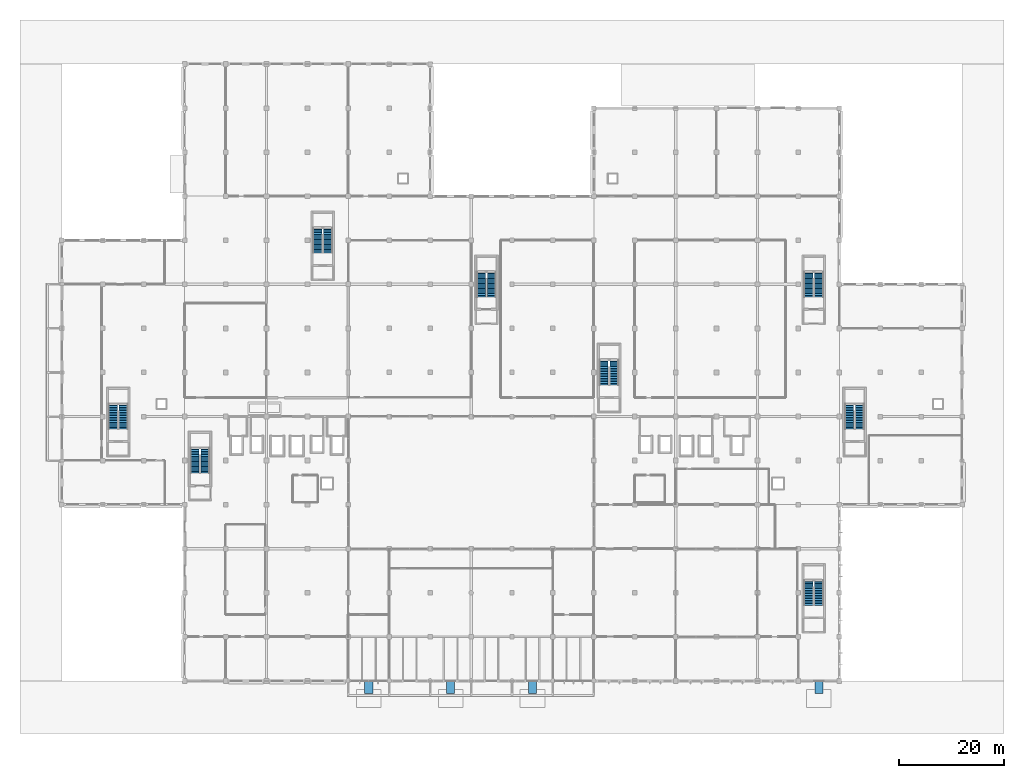
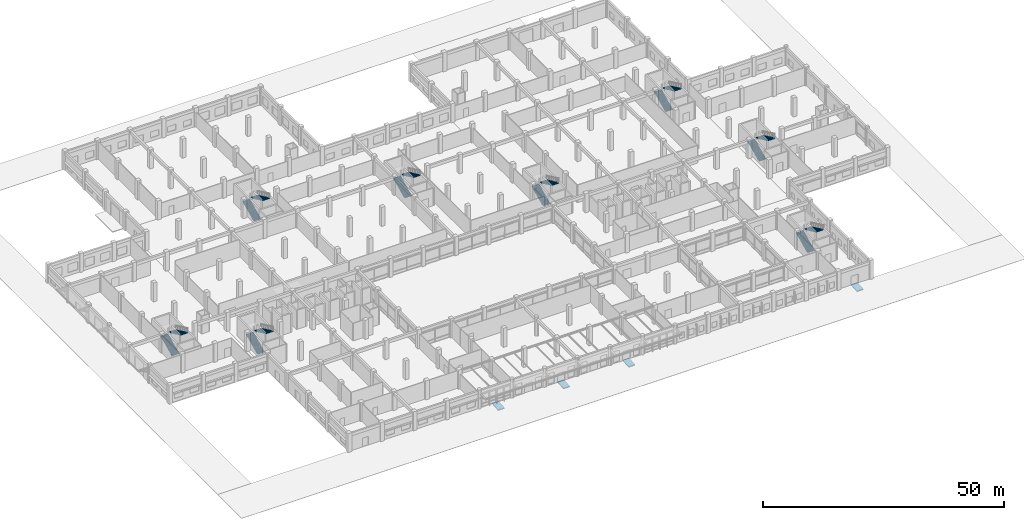
# One storey, part 60 of 74: 16 stair flights, 4 ramp flights, 12 elements without a shape of their own.
"""IFC4 building model written with IfcOpenShell, lengths in metres."""

from ifc_helpers import new_model, si_unit, direction, frame, origin, place, context, subcontext, project, spatial, polyline, outline, extrude, material, layer, layer_set, type_object, element, aggregate, save


model = new_model("IFC4")

# Units and contexts
model_context = context("Model", 3, precision=1e-05, world=origin(), true_north=direction((0.0, 1.0)))
body_context = subcontext(model_context, "Body", "Model", "MODEL_VIEW")
ifc_project = project(units=[si_unit("LENGTHUNIT", "METRE"), si_unit("AREAUNIT", "SQUARE_METRE"), si_unit("VOLUMEUNIT", "CUBIC_METRE"), si_unit("PLANEANGLEUNIT", "RADIAN"), si_unit("MASSUNIT", "GRAM", prefix="KILO"), si_unit("THERMODYNAMICTEMPERATUREUNIT", "KELVIN"), si_unit("POWERUNIT", "WATT")], contexts=[model_context])

# Site, building, storey
site_placement = place(None, origin())
site = spatial("IfcSite", under=ifc_project, at=site_placement, CompositionType="ELEMENT")
building_placement = place(site_placement, origin())
building = spatial("IfcBuilding", under=site, at=building_placement, Name="Srebrne Nadtorze General Hospital", CompositionType="ELEMENT")
storey_placement = place(building_placement, origin())
storey = spatial("IfcBuildingStorey", under=building, at=storey_placement, Name="L00", CompositionType="ELEMENT", Elevation=0.0)

# Stair, stair flights
ifc_material_1 = material(Name="Concrete C35/45", Category="concrete")
stair_type = type_object("IfcStairType", Name="Dog-leg escape stair 480", PredefinedType="HALF_TURN_STAIR", material=ifc_material_1)
stair_1_placement = place(storey_placement, origin())
stair_1 = element("IfcStair", 1, at=stair_1_placement, inside=storey, type_object=stair_type, Name="Escape stair ST-01-L00", PredefinedType="HALF_TURN_STAIR")
ifc_material_2 = material(Name="Concrete C35/45", Category="concrete")
stair_flight_type = type_object("IfcStairFlightType", Name="Reinforced concrete stair flight 16R", PredefinedType="STRAIGHT", material=ifc_material_2)
stair_flight_1_placement = place(storey_placement, frame((25.300048828125, 39.60009765625, 0.0), z_axis=(0.0, 0.0, 1.0), x_axis=(0.0, 1.0, 0.0)))
stair_flight_1 = element("IfcStairFlight", 2, at=stair_flight_1_placement, type_object=stair_flight_type, Name="ST-01 flight 1", NumberOfRisers=16, NumberOfTreads=15, PredefinedType="STRAIGHT", RiserHeight=0.15, TreadLength=0.32, context=body_context, shape_type="SweptSolid", body=[
    extrude(outline(polyline([(0.0, 0.0), (0.0, 0.14990234375), (0.320068359375, 0.14990234375), (0.320068359375, 0.300048828125), (0.639892578125, 0.300048828125), (0.639892578125, 0.449951171875), (0.9599609375, 0.449951171875), (0.9599609375, 0.60009765625), (1.280029296875, 0.60009765625), (1.280029296875, 0.75), (1.60009765625, 0.75), (1.60009765625, 0.89990234375), (1.919921875, 0.89990234375), (1.919921875, 1.050048828125), (2.239990234375, 1.050048828125), (2.239990234375, 1.199951171875), (2.56005859375, 1.199951171875), (2.56005859375, 1.35009765625), (2.8798828125, 1.35009765625), (2.8798828125, 1.5), (3.199951171875, 1.5), (3.199951171875, 1.64990234375), (3.52001953125, 1.64990234375), (3.52001953125, 1.800048828125), (3.840087890625, 1.800048828125), (3.840087890625, 1.949951171875), (4.159912109375, 1.949951171875), (4.159912109375, 2.10009765625), (4.47998046875, 2.10009765625), (4.47998046875, 2.25), (4.800048828125, 2.25), (4.800048828125, 2.39990234375), (4.800048828125, 2.05126953125), (0.423828125, 0.0), (0.0, 0.0)])), frame((0.0, 0.85009765625, 0.0), z_axis=(0.0, -1.0, 0.0), x_axis=(1.0, 0.0, 0.0)), (0.0, 0.0, 1.0), 1.699951171875),
])
stair_flight_2_placement = place(storey_placement, frame((27.35009765625, 44.39990234375, 2.39990234375), z_axis=(0.0, 0.0, 1.0), x_axis=(0.0, -1.0, 0.0)))
stair_flight_2 = element("IfcStairFlight", 3, at=stair_flight_2_placement, type_object=stair_flight_type, Name="ST-01 flight 2", NumberOfRisers=16, NumberOfTreads=15, PredefinedType="STRAIGHT", RiserHeight=0.15, TreadLength=0.32, context=body_context, shape_type="SweptSolid", body=[
    extrude(outline(polyline([(0.0, 0.0), (0.0, 0.14990234375), (0.320068359375, 0.14990234375), (0.320068359375, 0.300048828125), (0.639892578125, 0.300048828125), (0.639892578125, 0.449951171875), (0.9599609375, 0.449951171875), (0.9599609375, 0.60009765625), (1.280029296875, 0.60009765625), (1.280029296875, 0.75), (1.60009765625, 0.75), (1.60009765625, 0.89990234375), (1.919921875, 0.89990234375), (1.919921875, 1.050048828125), (2.239990234375, 1.050048828125), (2.239990234375, 1.199951171875), (2.56005859375, 1.199951171875), (2.56005859375, 1.35009765625), (2.8798828125, 1.35009765625), (2.8798828125, 1.5), (3.199951171875, 1.5), (3.199951171875, 1.64990234375), (3.52001953125, 1.64990234375), (3.52001953125, 1.800048828125), (3.840087890625, 1.800048828125), (3.840087890625, 1.949951171875), (4.159912109375, 1.949951171875), (4.159912109375, 2.10009765625), (4.47998046875, 2.10009765625), (4.47998046875, 2.25), (4.800048828125, 2.25), (4.800048828125, 2.39990234375), (4.800048828125, 2.05126953125), (0.423828125, 0.0), (0.0, 0.0)])), frame((0.0, 0.85009765625, 0.0), z_axis=(0.0, -1.0, 0.0), x_axis=(1.0, 0.0, 0.0)), (0.0, 0.0, 1.0), 1.699951171875),
])
aggregate(stair_1, [stair_flight_1, stair_flight_2])

stair_2_placement = place(storey_placement, origin())
stair_2 = element("IfcStair", 4, at=stair_2_placement, inside=storey, type_object=stair_type, Name="Escape stair ST-02-L00", PredefinedType="HALF_TURN_STAIR")
stair_flight_3_placement = place(storey_placement, frame((48.699951171875, 81.60009765625, 0.0), z_axis=(0.0, 0.0, 1.0), x_axis=(0.0, 1.0, 0.0)))
stair_flight_3 = element("IfcStairFlight", 5, at=stair_flight_3_placement, type_object=stair_flight_type, Name="ST-02 flight 1", NumberOfRisers=16, NumberOfTreads=15, PredefinedType="STRAIGHT", RiserHeight=0.15, TreadLength=0.32, context=body_context, shape_type="SweptSolid", body=[
    extrude(outline(polyline([(0.0, 0.0), (0.0, 0.14990234375), (0.320068359375, 0.14990234375), (0.320068359375, 0.300048828125), (0.639892578125, 0.300048828125), (0.639892578125, 0.449951171875), (0.9599609375, 0.449951171875), (0.9599609375, 0.60009765625), (1.280029296875, 0.60009765625), (1.280029296875, 0.75), (1.60009765625, 0.75), (1.60009765625, 0.89990234375), (1.919921875, 0.89990234375), (1.919921875, 1.050048828125), (2.239990234375, 1.050048828125), (2.239990234375, 1.199951171875), (2.56005859375, 1.199951171875), (2.56005859375, 1.35009765625), (2.8798828125, 1.35009765625), (2.8798828125, 1.5), (3.199951171875, 1.5), (3.199951171875, 1.64990234375), (3.52001953125, 1.64990234375), (3.52001953125, 1.800048828125), (3.840087890625, 1.800048828125), (3.840087890625, 1.949951171875), (4.159912109375, 1.949951171875), (4.159912109375, 2.10009765625), (4.47998046875, 2.10009765625), (4.47998046875, 2.25), (4.800048828125, 2.25), (4.800048828125, 2.39990234375), (4.800048828125, 2.05126953125), (0.423828125, 0.0), (0.0, 0.0)])), frame((0.0, 0.85009765625, 0.0), z_axis=(0.0, -1.0, 0.0), x_axis=(1.0, 0.0, 0.0)), (0.0, 0.0, 1.0), 1.699951171875),
])
stair_flight_4_placement = place(storey_placement, frame((50.75, 86.39990234375, 2.39990234375), z_axis=(0.0, 0.0, 1.0), x_axis=(0.0, -1.0, 0.0)))
stair_flight_4 = element("IfcStairFlight", 6, at=stair_flight_4_placement, type_object=stair_flight_type, Name="ST-02 flight 2", NumberOfRisers=16, NumberOfTreads=15, PredefinedType="STRAIGHT", RiserHeight=0.15, TreadLength=0.32, context=body_context, shape_type="SweptSolid", body=[
    extrude(outline(polyline([(0.0, 0.0), (0.0, 0.14990234375), (0.320068359375, 0.14990234375), (0.320068359375, 0.300048828125), (0.639892578125, 0.300048828125), (0.639892578125, 0.449951171875), (0.9599609375, 0.449951171875), (0.9599609375, 0.60009765625), (1.280029296875, 0.60009765625), (1.280029296875, 0.75), (1.60009765625, 0.75), (1.60009765625, 0.89990234375), (1.919921875, 0.89990234375), (1.919921875, 1.050048828125), (2.239990234375, 1.050048828125), (2.239990234375, 1.199951171875), (2.56005859375, 1.199951171875), (2.56005859375, 1.35009765625), (2.8798828125, 1.35009765625), (2.8798828125, 1.5), (3.199951171875, 1.5), (3.199951171875, 1.64990234375), (3.52001953125, 1.64990234375), (3.52001953125, 1.800048828125), (3.840087890625, 1.800048828125), (3.840087890625, 1.949951171875), (4.159912109375, 1.949951171875), (4.159912109375, 2.10009765625), (4.47998046875, 2.10009765625), (4.47998046875, 2.25), (4.800048828125, 2.25), (4.800048828125, 2.39990234375), (4.800048828125, 2.05126953125), (0.423828125, 0.0), (0.0, 0.0)])), frame((0.0, 0.85009765625, 0.0), z_axis=(0.0, -1.0, 0.0), x_axis=(1.0, 0.0, 0.0)), (0.0, 0.0, 1.0), 1.699951171875),
])
aggregate(stair_2, [stair_flight_3, stair_flight_4])

stair_3_placement = place(storey_placement, origin())
stair_3 = element("IfcStair", 7, at=stair_3_placement, inside=storey, type_object=stair_type, Name="Escape stair ST-03-L00", PredefinedType="HALF_TURN_STAIR")
stair_flight_5_placement = place(storey_placement, frame((103.300048828125, 56.39990234375, 0.0), z_axis=(0.0, 0.0, 1.0), x_axis=(0.0, 1.0, 0.0)))
stair_flight_5 = element("IfcStairFlight", 8, at=stair_flight_5_placement, type_object=stair_flight_type, Name="ST-03 flight 1", NumberOfRisers=16, NumberOfTreads=15, PredefinedType="STRAIGHT", RiserHeight=0.15, TreadLength=0.32, context=body_context, shape_type="SweptSolid", body=[
    extrude(outline(polyline([(0.0, 0.0), (0.0, 0.14990234375), (0.320068359375, 0.14990234375), (0.320068359375, 0.300048828125), (0.639892578125, 0.300048828125), (0.639892578125, 0.449951171875), (0.9599609375, 0.449951171875), (0.9599609375, 0.60009765625), (1.280029296875, 0.60009765625), (1.280029296875, 0.75), (1.60009765625, 0.75), (1.60009765625, 0.89990234375), (1.919921875, 0.89990234375), (1.919921875, 1.050048828125), (2.239990234375, 1.050048828125), (2.239990234375, 1.199951171875), (2.56005859375, 1.199951171875), (2.56005859375, 1.35009765625), (2.8798828125, 1.35009765625), (2.8798828125, 1.5), (3.199951171875, 1.5), (3.199951171875, 1.64990234375), (3.52001953125, 1.64990234375), (3.52001953125, 1.800048828125), (3.840087890625, 1.800048828125), (3.840087890625, 1.949951171875), (4.159912109375, 1.949951171875), (4.159912109375, 2.10009765625), (4.47998046875, 2.10009765625), (4.47998046875, 2.25), (4.800048828125, 2.25), (4.800048828125, 2.39990234375), (4.800048828125, 2.05126953125), (0.423828125, 0.0), (0.0, 0.0)])), frame((0.0, 0.85009765625, 0.0), z_axis=(0.0, -1.0, 0.0), x_axis=(1.0, 0.0, 0.0)), (0.0, 0.0, 1.0), 1.699951171875),
])
stair_flight_6_placement = place(storey_placement, frame((105.35009765625, 61.199951171875, 2.39990234375), z_axis=(0.0, 0.0, 1.0), x_axis=(0.0, -1.0, 0.0)))
stair_flight_6 = element("IfcStairFlight", 9, at=stair_flight_6_placement, type_object=stair_flight_type, Name="ST-03 flight 2", NumberOfRisers=16, NumberOfTreads=15, PredefinedType="STRAIGHT", RiserHeight=0.15, TreadLength=0.32, context=body_context, shape_type="SweptSolid", body=[
    extrude(outline(polyline([(0.0, 0.0), (0.0, 0.14990234375), (0.320068359375, 0.14990234375), (0.320068359375, 0.300048828125), (0.639892578125, 0.300048828125), (0.639892578125, 0.449951171875), (0.9599609375, 0.449951171875), (0.9599609375, 0.60009765625), (1.280029296875, 0.60009765625), (1.280029296875, 0.75), (1.60009765625, 0.75), (1.60009765625, 0.89990234375), (1.919921875, 0.89990234375), (1.919921875, 1.050048828125), (2.239990234375, 1.050048828125), (2.239990234375, 1.199951171875), (2.56005859375, 1.199951171875), (2.56005859375, 1.35009765625), (2.8798828125, 1.35009765625), (2.8798828125, 1.5), (3.199951171875, 1.5), (3.199951171875, 1.64990234375), (3.52001953125, 1.64990234375), (3.52001953125, 1.800048828125), (3.840087890625, 1.800048828125), (3.840087890625, 1.949951171875), (4.159912109375, 1.949951171875), (4.159912109375, 2.10009765625), (4.47998046875, 2.10009765625), (4.47998046875, 2.25), (4.800048828125, 2.25), (4.800048828125, 2.39990234375), (4.800048828125, 2.05126953125), (0.423828125, 0.0), (0.0, 0.0)])), frame((0.0, 0.85009765625, 0.0), z_axis=(0.0, -1.0, 0.0), x_axis=(1.0, 0.0, 0.0)), (0.0, 0.0, 1.0), 1.699951171875),
])
aggregate(stair_3, [stair_flight_5, stair_flight_6])

stair_4_placement = place(storey_placement, origin())
stair_4 = element("IfcStair", 10, at=stair_4_placement, inside=storey, type_object=stair_type, Name="Escape stair ST-04-L00", PredefinedType="HALF_TURN_STAIR")
stair_flight_7_placement = place(storey_placement, frame((142.300048828125, 73.199951171875, 0.0), z_axis=(0.0, 0.0, 1.0), x_axis=(0.0, 1.0, 0.0)))
stair_flight_7 = element("IfcStairFlight", 11, at=stair_flight_7_placement, type_object=stair_flight_type, Name="ST-04 flight 1", NumberOfRisers=16, NumberOfTreads=15, PredefinedType="STRAIGHT", RiserHeight=0.15, TreadLength=0.32, context=body_context, shape_type="SweptSolid", body=[
    extrude(outline(polyline([(0.0, 0.0), (0.0, 0.14990234375), (0.320068359375, 0.14990234375), (0.320068359375, 0.300048828125), (0.639892578125, 0.300048828125), (0.639892578125, 0.449951171875), (0.9599609375, 0.449951171875), (0.9599609375, 0.60009765625), (1.280029296875, 0.60009765625), (1.280029296875, 0.75), (1.60009765625, 0.75), (1.60009765625, 0.89990234375), (1.919921875, 0.89990234375), (1.919921875, 1.050048828125), (2.239990234375, 1.050048828125), (2.239990234375, 1.199951171875), (2.56005859375, 1.199951171875), (2.56005859375, 1.35009765625), (2.8798828125, 1.35009765625), (2.8798828125, 1.5), (3.199951171875, 1.5), (3.199951171875, 1.64990234375), (3.52001953125, 1.64990234375), (3.52001953125, 1.800048828125), (3.840087890625, 1.800048828125), (3.840087890625, 1.949951171875), (4.159912109375, 1.949951171875), (4.159912109375, 2.10009765625), (4.47998046875, 2.10009765625), (4.47998046875, 2.25), (4.800048828125, 2.25), (4.800048828125, 2.39990234375), (4.800048828125, 2.05126953125), (0.423828125, 0.0), (0.0, 0.0)])), frame((0.0, 0.85009765625, 0.0), z_axis=(0.0, -1.0, 0.0), x_axis=(1.0, 0.0, 0.0)), (0.0, 0.0, 1.0), 1.699951171875),
])
stair_flight_8_placement = place(storey_placement, frame((144.35009765625, 78.0, 2.39990234375), z_axis=(0.0, 0.0, 1.0), x_axis=(0.0, -1.0, 0.0)))
stair_flight_8 = element("IfcStairFlight", 12, at=stair_flight_8_placement, type_object=stair_flight_type, Name="ST-04 flight 2", NumberOfRisers=16, NumberOfTreads=15, PredefinedType="STRAIGHT", RiserHeight=0.15, TreadLength=0.32, context=body_context, shape_type="SweptSolid", body=[
    extrude(outline(polyline([(0.0, 0.0), (0.0, 0.14990234375), (0.320068359375, 0.14990234375), (0.320068359375, 0.300048828125), (0.639892578125, 0.300048828125), (0.639892578125, 0.449951171875), (0.9599609375, 0.449951171875), (0.9599609375, 0.60009765625), (1.280029296875, 0.60009765625), (1.280029296875, 0.75), (1.60009765625, 0.75), (1.60009765625, 0.89990234375), (1.919921875, 0.89990234375), (1.919921875, 1.050048828125), (2.239990234375, 1.050048828125), (2.239990234375, 1.199951171875), (2.56005859375, 1.199951171875), (2.56005859375, 1.35009765625), (2.8798828125, 1.35009765625), (2.8798828125, 1.5), (3.199951171875, 1.5), (3.199951171875, 1.64990234375), (3.52001953125, 1.64990234375), (3.52001953125, 1.800048828125), (3.840087890625, 1.800048828125), (3.840087890625, 1.949951171875), (4.159912109375, 1.949951171875), (4.159912109375, 2.10009765625), (4.47998046875, 2.10009765625), (4.47998046875, 2.25), (4.800048828125, 2.25), (4.800048828125, 2.39990234375), (4.800048828125, 2.05126953125), (0.423828125, 0.0), (0.0, 0.0)])), frame((0.0, 0.85009765625, 0.0), z_axis=(0.0, -1.0, 0.0), x_axis=(1.0, 0.0, 0.0)), (0.0, 0.0, 1.0), 1.699951171875),
])
aggregate(stair_4, [stair_flight_7, stair_flight_8])

stair_5_placement = place(storey_placement, origin())
stair_5 = element("IfcStair", 13, at=stair_5_placement, inside=storey, type_object=stair_type, Name="Escape stair ST-05-L00", PredefinedType="HALF_TURN_STAIR")
stair_flight_9_placement = place(storey_placement, frame((9.699951171875, 48.0, 0.0), z_axis=(0.0, 0.0, 1.0), x_axis=(0.0, 1.0, 0.0)))
stair_flight_9 = element("IfcStairFlight", 14, at=stair_flight_9_placement, type_object=stair_flight_type, Name="ST-05 flight 1", NumberOfRisers=16, NumberOfTreads=15, PredefinedType="STRAIGHT", RiserHeight=0.15, TreadLength=0.32, context=body_context, shape_type="SweptSolid", body=[
    extrude(outline(polyline([(0.0, 0.0), (0.0, 0.14990234375), (0.320068359375, 0.14990234375), (0.320068359375, 0.300048828125), (0.639892578125, 0.300048828125), (0.639892578125, 0.449951171875), (0.9599609375, 0.449951171875), (0.9599609375, 0.60009765625), (1.280029296875, 0.60009765625), (1.280029296875, 0.75), (1.60009765625, 0.75), (1.60009765625, 0.89990234375), (1.919921875, 0.89990234375), (1.919921875, 1.050048828125), (2.239990234375, 1.050048828125), (2.239990234375, 1.199951171875), (2.56005859375, 1.199951171875), (2.56005859375, 1.35009765625), (2.8798828125, 1.35009765625), (2.8798828125, 1.5), (3.199951171875, 1.5), (3.199951171875, 1.64990234375), (3.52001953125, 1.64990234375), (3.52001953125, 1.800048828125), (3.840087890625, 1.800048828125), (3.840087890625, 1.949951171875), (4.159912109375, 1.949951171875), (4.159912109375, 2.10009765625), (4.47998046875, 2.10009765625), (4.47998046875, 2.25), (4.800048828125, 2.25), (4.800048828125, 2.39990234375), (4.800048828125, 2.05126953125), (0.423828125, 0.0), (0.0, 0.0)])), frame((0.0, 0.85009765625, 0.0), z_axis=(0.0, -1.0, 0.0), x_axis=(1.0, 0.0, 0.0)), (0.0, 0.0, 1.0), 1.699951171875),
])
stair_flight_10_placement = place(storey_placement, frame((11.75, 52.800048828125, 2.39990234375), z_axis=(0.0, 0.0, 1.0), x_axis=(0.0, -1.0, 0.0)))
stair_flight_10 = element("IfcStairFlight", 15, at=stair_flight_10_placement, type_object=stair_flight_type, Name="ST-05 flight 2", NumberOfRisers=16, NumberOfTreads=15, PredefinedType="STRAIGHT", RiserHeight=0.15, TreadLength=0.32, context=body_context, shape_type="SweptSolid", body=[
    extrude(outline(polyline([(0.0, 0.0), (0.0, 0.14990234375), (0.320068359375, 0.14990234375), (0.320068359375, 0.300048828125), (0.639892578125, 0.300048828125), (0.639892578125, 0.449951171875), (0.9599609375, 0.449951171875), (0.9599609375, 0.60009765625), (1.280029296875, 0.60009765625), (1.280029296875, 0.75), (1.60009765625, 0.75), (1.60009765625, 0.89990234375), (1.919921875, 0.89990234375), (1.919921875, 1.050048828125), (2.239990234375, 1.050048828125), (2.239990234375, 1.199951171875), (2.56005859375, 1.199951171875), (2.56005859375, 1.35009765625), (2.8798828125, 1.35009765625), (2.8798828125, 1.5), (3.199951171875, 1.5), (3.199951171875, 1.64990234375), (3.52001953125, 1.64990234375), (3.52001953125, 1.800048828125), (3.840087890625, 1.800048828125), (3.840087890625, 1.949951171875), (4.159912109375, 1.949951171875), (4.159912109375, 2.10009765625), (4.47998046875, 2.10009765625), (4.47998046875, 2.25), (4.800048828125, 2.25), (4.800048828125, 2.39990234375), (4.800048828125, 2.05126953125), (0.423828125, 0.0), (0.0, 0.0)])), frame((0.0, 0.85009765625, 0.0), z_axis=(0.0, -1.0, 0.0), x_axis=(1.0, 0.0, 0.0)), (0.0, 0.0, 1.0), 1.699951171875),
])
aggregate(stair_5, [stair_flight_9, stair_flight_10])

stair_6_placement = place(storey_placement, origin())
stair_6 = element("IfcStair", 16, at=stair_6_placement, inside=storey, type_object=stair_type, Name="Escape stair ST-06-L00", PredefinedType="HALF_TURN_STAIR")
stair_flight_11_placement = place(storey_placement, frame((150.10009765625, 48.0, 0.0), z_axis=(0.0, 0.0, 1.0), x_axis=(0.0, 1.0, 0.0)))
stair_flight_11 = element("IfcStairFlight", 17, at=stair_flight_11_placement, type_object=stair_flight_type, Name="ST-06 flight 1", NumberOfRisers=16, NumberOfTreads=15, PredefinedType="STRAIGHT", RiserHeight=0.15, TreadLength=0.32, context=body_context, shape_type="SweptSolid", body=[
    extrude(outline(polyline([(0.0, 0.0), (0.0, 0.14990234375), (0.320068359375, 0.14990234375), (0.320068359375, 0.300048828125), (0.639892578125, 0.300048828125), (0.639892578125, 0.449951171875), (0.9599609375, 0.449951171875), (0.9599609375, 0.60009765625), (1.280029296875, 0.60009765625), (1.280029296875, 0.75), (1.60009765625, 0.75), (1.60009765625, 0.89990234375), (1.919921875, 0.89990234375), (1.919921875, 1.050048828125), (2.239990234375, 1.050048828125), (2.239990234375, 1.199951171875), (2.56005859375, 1.199951171875), (2.56005859375, 1.35009765625), (2.8798828125, 1.35009765625), (2.8798828125, 1.5), (3.199951171875, 1.5), (3.199951171875, 1.64990234375), (3.52001953125, 1.64990234375), (3.52001953125, 1.800048828125), (3.840087890625, 1.800048828125), (3.840087890625, 1.949951171875), (4.159912109375, 1.949951171875), (4.159912109375, 2.10009765625), (4.47998046875, 2.10009765625), (4.47998046875, 2.25), (4.800048828125, 2.25), (4.800048828125, 2.39990234375), (4.800048828125, 2.05126953125), (0.423828125, 0.0), (0.0, 0.0)])), frame((0.0, 0.85009765625, 0.0), z_axis=(0.0, -1.0, 0.0), x_axis=(1.0, 0.0, 0.0)), (0.0, 0.0, 1.0), 1.699951171875),
])
stair_flight_12_placement = place(storey_placement, frame((152.14990234375, 52.800048828125, 2.39990234375), z_axis=(0.0, 0.0, 1.0), x_axis=(0.0, -1.0, 0.0)))
stair_flight_12 = element("IfcStairFlight", 18, at=stair_flight_12_placement, type_object=stair_flight_type, Name="ST-06 flight 2", NumberOfRisers=16, NumberOfTreads=15, PredefinedType="STRAIGHT", RiserHeight=0.15, TreadLength=0.32, context=body_context, shape_type="SweptSolid", body=[
    extrude(outline(polyline([(0.0, 0.0), (0.0, 0.14990234375), (0.320068359375, 0.14990234375), (0.320068359375, 0.300048828125), (0.639892578125, 0.300048828125), (0.639892578125, 0.449951171875), (0.9599609375, 0.449951171875), (0.9599609375, 0.60009765625), (1.280029296875, 0.60009765625), (1.280029296875, 0.75), (1.60009765625, 0.75), (1.60009765625, 0.89990234375), (1.919921875, 0.89990234375), (1.919921875, 1.050048828125), (2.239990234375, 1.050048828125), (2.239990234375, 1.199951171875), (2.56005859375, 1.199951171875), (2.56005859375, 1.35009765625), (2.8798828125, 1.35009765625), (2.8798828125, 1.5), (3.199951171875, 1.5), (3.199951171875, 1.64990234375), (3.52001953125, 1.64990234375), (3.52001953125, 1.800048828125), (3.840087890625, 1.800048828125), (3.840087890625, 1.949951171875), (4.159912109375, 1.949951171875), (4.159912109375, 2.10009765625), (4.47998046875, 2.10009765625), (4.47998046875, 2.25), (4.800048828125, 2.25), (4.800048828125, 2.39990234375), (4.800048828125, 2.05126953125), (0.423828125, 0.0), (0.0, 0.0)])), frame((0.0, 0.85009765625, 0.0), z_axis=(0.0, -1.0, 0.0), x_axis=(1.0, 0.0, 0.0)), (0.0, 0.0, 1.0), 1.699951171875),
])
aggregate(stair_6, [stair_flight_11, stair_flight_12])

stair_7_placement = place(storey_placement, origin())
stair_7 = element("IfcStair", 19, at=stair_7_placement, inside=storey, type_object=stair_type, Name="Escape stair ST-07-L00", PredefinedType="HALF_TURN_STAIR")
stair_flight_13_placement = place(storey_placement, frame((79.89990234375, 73.199951171875, 0.0), z_axis=(0.0, 0.0, 1.0), x_axis=(0.0, 1.0, 0.0)))
stair_flight_13 = element("IfcStairFlight", 20, at=stair_flight_13_placement, type_object=stair_flight_type, Name="ST-07 flight 1", NumberOfRisers=16, NumberOfTreads=15, PredefinedType="STRAIGHT", RiserHeight=0.15, TreadLength=0.32, context=body_context, shape_type="SweptSolid", body=[
    extrude(outline(polyline([(0.0, 0.0), (0.0, 0.14990234375), (0.320068359375, 0.14990234375), (0.320068359375, 0.300048828125), (0.639892578125, 0.300048828125), (0.639892578125, 0.449951171875), (0.9599609375, 0.449951171875), (0.9599609375, 0.60009765625), (1.280029296875, 0.60009765625), (1.280029296875, 0.75), (1.60009765625, 0.75), (1.60009765625, 0.89990234375), (1.919921875, 0.89990234375), (1.919921875, 1.050048828125), (2.239990234375, 1.050048828125), (2.239990234375, 1.199951171875), (2.56005859375, 1.199951171875), (2.56005859375, 1.35009765625), (2.8798828125, 1.35009765625), (2.8798828125, 1.5), (3.199951171875, 1.5), (3.199951171875, 1.64990234375), (3.52001953125, 1.64990234375), (3.52001953125, 1.800048828125), (3.840087890625, 1.800048828125), (3.840087890625, 1.949951171875), (4.159912109375, 1.949951171875), (4.159912109375, 2.10009765625), (4.47998046875, 2.10009765625), (4.47998046875, 2.25), (4.800048828125, 2.25), (4.800048828125, 2.39990234375), (4.800048828125, 2.05126953125), (0.423828125, 0.0), (0.0, 0.0)])), frame((0.0, 0.85009765625, 0.0), z_axis=(0.0, -1.0, 0.0), x_axis=(1.0, 0.0, 0.0)), (0.0, 0.0, 1.0), 1.699951171875),
])
stair_flight_14_placement = place(storey_placement, frame((81.949951171875, 78.0, 2.39990234375), z_axis=(0.0, 0.0, 1.0), x_axis=(0.0, -1.0, 0.0)))
stair_flight_14 = element("IfcStairFlight", 21, at=stair_flight_14_placement, type_object=stair_flight_type, Name="ST-07 flight 2", NumberOfRisers=16, NumberOfTreads=15, PredefinedType="STRAIGHT", RiserHeight=0.15, TreadLength=0.32, context=body_context, shape_type="SweptSolid", body=[
    extrude(outline(polyline([(0.0, 0.0), (0.0, 0.14990234375), (0.320068359375, 0.14990234375), (0.320068359375, 0.300048828125), (0.639892578125, 0.300048828125), (0.639892578125, 0.449951171875), (0.9599609375, 0.449951171875), (0.9599609375, 0.60009765625), (1.280029296875, 0.60009765625), (1.280029296875, 0.75), (1.60009765625, 0.75), (1.60009765625, 0.89990234375), (1.919921875, 0.89990234375), (1.919921875, 1.050048828125), (2.239990234375, 1.050048828125), (2.239990234375, 1.199951171875), (2.56005859375, 1.199951171875), (2.56005859375, 1.35009765625), (2.8798828125, 1.35009765625), (2.8798828125, 1.5), (3.199951171875, 1.5), (3.199951171875, 1.64990234375), (3.52001953125, 1.64990234375), (3.52001953125, 1.800048828125), (3.840087890625, 1.800048828125), (3.840087890625, 1.949951171875), (4.159912109375, 1.949951171875), (4.159912109375, 2.10009765625), (4.47998046875, 2.10009765625), (4.47998046875, 2.25), (4.800048828125, 2.25), (4.800048828125, 2.39990234375), (4.800048828125, 2.05126953125), (0.423828125, 0.0), (0.0, 0.0)])), frame((0.0, 0.85009765625, 0.0), z_axis=(0.0, -1.0, 0.0), x_axis=(1.0, 0.0, 0.0)), (0.0, 0.0, 1.0), 1.699951171875),
])
aggregate(stair_7, [stair_flight_13, stair_flight_14])

stair_8_placement = place(storey_placement, origin())
stair_8 = element("IfcStair", 22, at=stair_8_placement, inside=storey, type_object=stair_type, Name="Escape stair ST-08-L00", PredefinedType="HALF_TURN_STAIR")
stair_flight_15_placement = place(storey_placement, frame((142.300048828125, 14.39990234375, 0.0), z_axis=(0.0, 0.0, 1.0), x_axis=(0.0, 1.0, 0.0)))
stair_flight_15 = element("IfcStairFlight", 23, at=stair_flight_15_placement, type_object=stair_flight_type, Name="ST-08 flight 1", NumberOfRisers=16, NumberOfTreads=15, PredefinedType="STRAIGHT", RiserHeight=0.15, TreadLength=0.32, context=body_context, shape_type="SweptSolid", body=[
    extrude(outline(polyline([(0.0, 0.0), (0.0, 0.14990234375), (0.320068359375, 0.14990234375), (0.320068359375, 0.300048828125), (0.639892578125, 0.300048828125), (0.639892578125, 0.449951171875), (0.9599609375, 0.449951171875), (0.9599609375, 0.60009765625), (1.280029296875, 0.60009765625), (1.280029296875, 0.75), (1.60009765625, 0.75), (1.60009765625, 0.89990234375), (1.919921875, 0.89990234375), (1.919921875, 1.050048828125), (2.239990234375, 1.050048828125), (2.239990234375, 1.199951171875), (2.56005859375, 1.199951171875), (2.56005859375, 1.35009765625), (2.8798828125, 1.35009765625), (2.8798828125, 1.5), (3.199951171875, 1.5), (3.199951171875, 1.64990234375), (3.52001953125, 1.64990234375), (3.52001953125, 1.800048828125), (3.840087890625, 1.800048828125), (3.840087890625, 1.949951171875), (4.159912109375, 1.949951171875), (4.159912109375, 2.10009765625), (4.47998046875, 2.10009765625), (4.47998046875, 2.25), (4.800048828125, 2.25), (4.800048828125, 2.39990234375), (4.800048828125, 2.05126953125), (0.423828125, 0.0), (0.0, 0.0)])), frame((0.0, 0.85009765625, 0.0), z_axis=(0.0, -1.0, 0.0), x_axis=(1.0, 0.0, 0.0)), (0.0, 0.0, 1.0), 1.699951171875),
])
stair_flight_16_placement = place(storey_placement, frame((144.35009765625, 19.199951171875, 2.39990234375), z_axis=(0.0, 0.0, 1.0), x_axis=(0.0, -1.0, 0.0)))
stair_flight_16 = element("IfcStairFlight", 24, at=stair_flight_16_placement, type_object=stair_flight_type, Name="ST-08 flight 2", NumberOfRisers=16, NumberOfTreads=15, PredefinedType="STRAIGHT", RiserHeight=0.15, TreadLength=0.32, context=body_context, shape_type="SweptSolid", body=[
    extrude(outline(polyline([(0.0, 0.0), (0.0, 0.14990234375), (0.320068359375, 0.14990234375), (0.320068359375, 0.300048828125), (0.639892578125, 0.300048828125), (0.639892578125, 0.449951171875), (0.9599609375, 0.449951171875), (0.9599609375, 0.60009765625), (1.280029296875, 0.60009765625), (1.280029296875, 0.75), (1.60009765625, 0.75), (1.60009765625, 0.89990234375), (1.919921875, 0.89990234375), (1.919921875, 1.050048828125), (2.239990234375, 1.050048828125), (2.239990234375, 1.199951171875), (2.56005859375, 1.199951171875), (2.56005859375, 1.35009765625), (2.8798828125, 1.35009765625), (2.8798828125, 1.5), (3.199951171875, 1.5), (3.199951171875, 1.64990234375), (3.52001953125, 1.64990234375), (3.52001953125, 1.800048828125), (3.840087890625, 1.800048828125), (3.840087890625, 1.949951171875), (4.159912109375, 1.949951171875), (4.159912109375, 2.10009765625), (4.47998046875, 2.10009765625), (4.47998046875, 2.25), (4.800048828125, 2.25), (4.800048828125, 2.39990234375), (4.800048828125, 2.05126953125), (0.423828125, 0.0), (0.0, 0.0)])), frame((0.0, 0.85009765625, 0.0), z_axis=(0.0, -1.0, 0.0), x_axis=(1.0, 0.0, 0.0)), (0.0, 0.0, 1.0), 1.699951171875),
])
aggregate(stair_8, [stair_flight_15, stair_flight_16])

# Ramp, ramp flight
ifc_material_3 = material(Name="Concrete C35/45", Category="concrete")
ramp_type = type_object("IfcRampType", Name="Accessible pedestrian ramp 1 to 12", PredefinedType="STRAIGHT_RUN_RAMP", material=ifc_material_3)
ramp_1_placement = place(storey_placement, origin())
ramp_1 = element("IfcRamp", 25, at=ramp_1_placement, inside=storey, type_object=ramp_type, Name="Accessible entrance ramp RMP-L00-ACC1", PredefinedType="STRAIGHT_RUN_RAMP")
ifc_material_4 = material(Name="Concrete C35/45", Category="concrete")
ifc_layer = layer(ifc_material_4, 0.219970703125)
ifc_layer_set = layer_set([ifc_layer], Name="Concrete C35/45")
ramp_flight_type = type_object("IfcRampFlightType", Name="Reinforced concrete accessible ramp flight", PredefinedType="STRAIGHT", material=ifc_layer_set)
ramp_flight_1_placement = place(storey_placement, frame((58.5, -2.39990234375, -0.199951171875), z_axis=(0.0, 0.0, 1.0), x_axis=(0.0, 1.0, 0.0)))
ramp_flight_1 = element("IfcRampFlight", 26, at=ramp_flight_1_placement, type_object=ramp_flight_type, Name="Accessible ramp flight 1", PredefinedType="STRAIGHT", context=body_context, shape_type="SweptSolid", body=[
    extrude(outline(polyline([(0.0, 0.0), (2.43994140625, 0.199951171875), (2.43994140625, -0.02001953125), (0.0, -0.219970703125), (0.0, 0.0)])), frame((0.0, 0.77490234375, 0.0), z_axis=(0.0, -1.0, 0.0), x_axis=(1.0, 0.0, 0.0)), (0.0, 0.0, 1.0), 1.550048828125),
])
aggregate(ramp_1, [ramp_flight_1])

ramp_2_placement = place(storey_placement, origin())
ramp_2 = element("IfcRamp", 27, at=ramp_2_placement, inside=storey, type_object=ramp_type, Name="Accessible entrance ramp RMP-L00-ACC2", PredefinedType="STRAIGHT_RUN_RAMP")
ramp_flight_2_placement = place(storey_placement, frame((74.10009765625, -2.39990234375, -0.199951171875), z_axis=(0.0, 0.0, 1.0), x_axis=(0.0, 1.0, 0.0)))
ramp_flight_2 = element("IfcRampFlight", 28, at=ramp_flight_2_placement, type_object=ramp_flight_type, Name="Accessible ramp flight 2", PredefinedType="STRAIGHT", context=body_context, shape_type="SweptSolid", body=[
    extrude(outline(polyline([(0.0, 0.0), (2.43994140625, 0.199951171875), (2.43994140625, -0.02001953125), (0.0, -0.219970703125), (0.0, 0.0)])), frame((0.0, 0.77490234375, 0.0), z_axis=(0.0, -1.0, 0.0), x_axis=(1.0, 0.0, 0.0)), (0.0, 0.0, 1.0), 1.550048828125),
])
aggregate(ramp_2, [ramp_flight_2])

ramp_3_placement = place(storey_placement, origin())
ramp_3 = element("IfcRamp", 29, at=ramp_3_placement, inside=storey, type_object=ramp_type, Name="Accessible entrance ramp RMP-L00-ACC3", PredefinedType="STRAIGHT_RUN_RAMP")
ramp_flight_3_placement = place(storey_placement, frame((89.699951171875, -2.39990234375, -0.199951171875), z_axis=(0.0, 0.0, 1.0), x_axis=(0.0, 1.0, 0.0)))
ramp_flight_3 = element("IfcRampFlight", 30, at=ramp_flight_3_placement, type_object=ramp_flight_type, Name="Accessible ramp flight 3", PredefinedType="STRAIGHT", context=body_context, shape_type="SweptSolid", body=[
    extrude(outline(polyline([(0.0, 0.0), (2.43994140625, 0.199951171875), (2.43994140625, -0.02001953125), (0.0, -0.219970703125), (0.0, 0.0)])), frame((0.0, 0.77490234375, 0.0), z_axis=(0.0, -1.0, 0.0), x_axis=(1.0, 0.0, 0.0)), (0.0, 0.0, 1.0), 1.550048828125),
])
aggregate(ramp_3, [ramp_flight_3])

ramp_4_placement = place(storey_placement, origin())
ramp_4 = element("IfcRamp", 31, at=ramp_4_placement, inside=storey, type_object=ramp_type, Name="Accessible entrance ramp RMP-L00-ACC4", PredefinedType="STRAIGHT_RUN_RAMP")
ramp_flight_4_placement = place(storey_placement, frame((144.300048828125, -2.39990234375, -0.199951171875), z_axis=(0.0, 0.0, 1.0), x_axis=(0.0, 1.0, 0.0)))
ramp_flight_4 = element("IfcRampFlight", 32, at=ramp_flight_4_placement, type_object=ramp_flight_type, Name="Accessible ramp flight 4", PredefinedType="STRAIGHT", context=body_context, shape_type="SweptSolid", body=[
    extrude(outline(polyline([(0.0, 0.0), (2.43994140625, 0.199951171875), (2.43994140625, -0.02001953125), (0.0, -0.219970703125), (0.0, 0.0)])), frame((0.0, 0.77490234375, 0.0), z_axis=(0.0, -1.0, 0.0), x_axis=(1.0, 0.0, 0.0)), (0.0, 0.0, 1.0), 1.550048828125),
])
aggregate(ramp_4, [ramp_flight_4])

save(model, "model.ifc")
